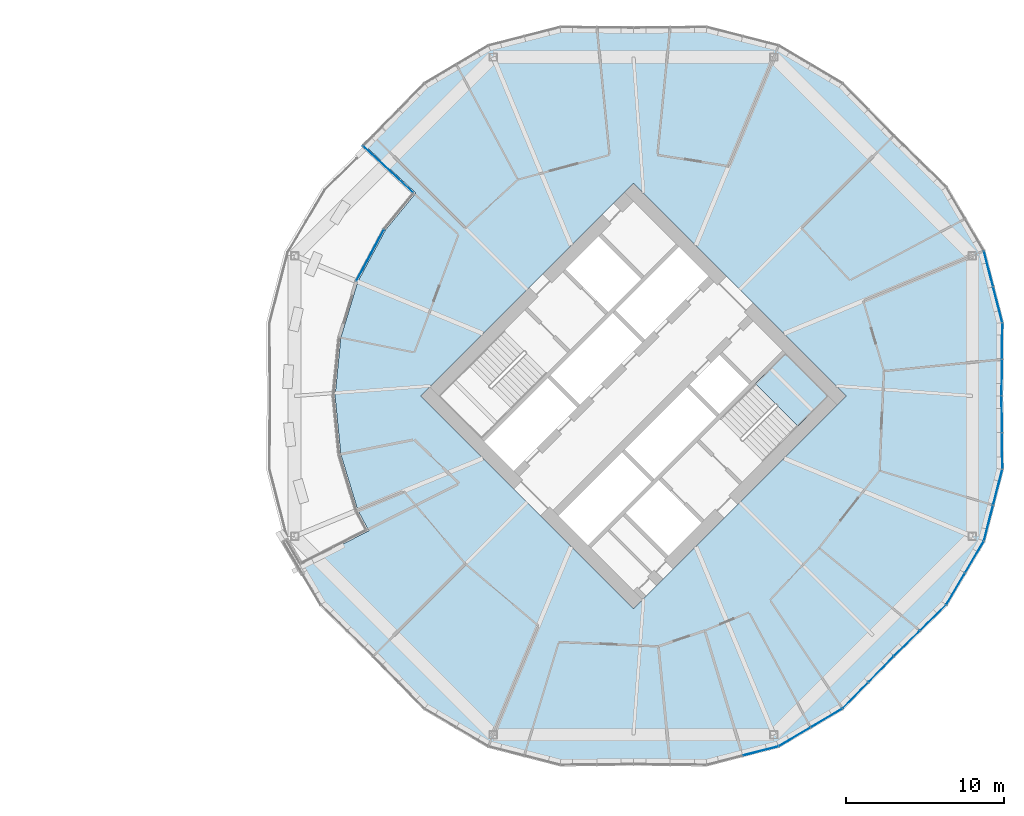
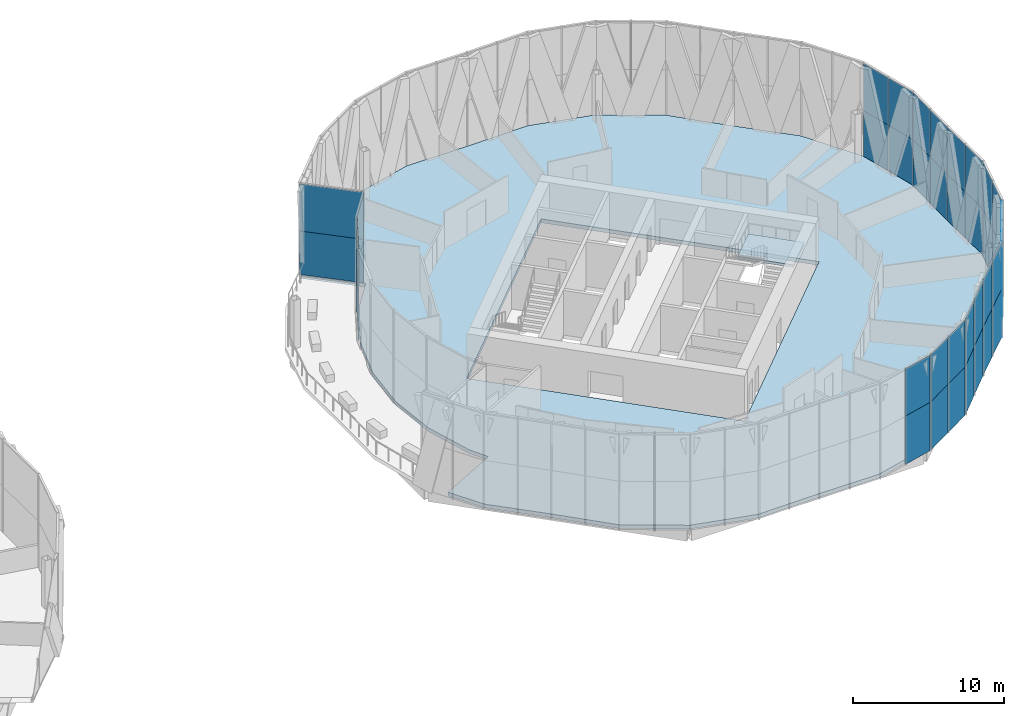
# One storey, part 20 of 31: 38 plates, 2 slabs, 5 elements without a shape of their own.
"""IFC4 building model written with IfcOpenShell, lengths in metres."""

from ifc_helpers import new_model, si_unit, direction, frame, origin, origin_2d, place, context, subcontext, project, spatial, polyline, rectangle, outline, extrude, material, layer, layer_set, type_object, element, aggregate, save


model = new_model("IFC4")

# Units and contexts
model_context = context("Model", 3, precision=1e-05, world=origin(), true_north=direction((0.0, 1.0)))
body_context = subcontext(model_context, "Body", "Model", "MODEL_VIEW")
ifc_project = project(units=[si_unit("LENGTHUNIT", "METRE"), si_unit("AREAUNIT", "SQUARE_METRE"), si_unit("VOLUMEUNIT", "CUBIC_METRE"), si_unit("PLANEANGLEUNIT", "RADIAN"), si_unit("MASSUNIT", "GRAM", prefix="KILO")], contexts=[model_context])

# Site, building, storey
site_placement = place(None, origin())
site = spatial("IfcSite", under=ifc_project, at=site_placement, CompositionType="ELEMENT")
building_placement = place(site_placement, origin())
building = spatial("IfcBuilding", under=site, at=building_placement, Name="Ogive Gate Towers", CompositionType="ELEMENT")
storey_placement = place(building_placement, frame((0.0, 0.0, 107.39990234375)))
storey = spatial("IfcBuildingStorey", under=building, at=storey_placement, Name="L25", CompositionType="ELEMENT", Elevation=107.39990234375)

# Slab
ifc_material_1 = material(Name="Concrete C35/45", Category="concrete")
ifc_layer_1 = layer(ifc_material_1, 0.300048828125)
ifc_layer_set_1 = layer_set([ifc_layer_1], Name="Floor slab 300")
slab_type_1 = type_object("IfcSlabType", Name="Floor slab 300", PredefinedType="FLOOR", material=ifc_layer_set_1)
slab_1_placement = place(storey_placement, frame((0.0, 0.0, -0.2998046875)))
element("IfcSlab", 1, at=slab_1_placement, inside=storey, type_object=slab_type_1, Name="T2/L25/SSL001", PredefinedType="FLOOR", context=body_context, shape_type="SweptSolid", body=[
    extrude(outline(polyline([(22.8662109375, 19.656005859375), (19.637451171875, 16.362548828125), (19.060302734375, 15.796630859375), (22.26025390625, 12.8125), (20.335205078125, 10.467041015625), (18.593994140625, 7.209716796875), (17.52197265625, 3.675537109375), (17.159912109375, 0.0), (17.52197265625, -3.675537109375), (18.593994140625, -7.209716796875), (19.291015625, -8.513671875), (14.927978515625, -10.73681640625), (13.974609375, -9.123291015625), (16.343994140625, -13.1337890625), (19.637451171875, -16.362548828125), (22.8662109375, -19.656005859375), (26.876708984375, -22.025390625), (31.38818359375, -23.185791015625), (36.0, -23.139892578125), (40.61181640625, -23.185791015625), (45.123291015625, -22.025390625), (49.1337890625, -19.656005859375), (52.362548828125, -16.362548828125), (55.656005859375, -13.1337890625), (58.025390625, -9.123291015625), (59.185791015625, -4.61181640625), (59.139892578125, 0.0), (59.185791015625, 4.61181640625), (58.025390625, 9.123291015625), (55.656005859375, 13.1337890625), (52.362548828125, 16.362548828125), (49.1337890625, 19.656005859375), (45.123291015625, 22.025390625), (40.61181640625, 23.185791015625), (36.0, 23.139892578125), (31.38818359375, 23.185791015625), (26.876708984375, 22.025390625), (22.8662109375, 19.656005859375)]), holes=[polyline([(49.43505859375, 0.0), (36.0, -13.43505859375), (22.56494140625, 0.0), (36.0, 13.43505859375), (49.43505859375, 0.0)])]), origin(), (0.0, 0.0, 1.0), 0.2998046875),
])

# Curtain wall, plates
ifc_material_2 = material(Name="Pale metal aluminium", Category="aluminium")
curtain_wall_type_1 = type_object("IfcCurtainWallType", Name="Sky garden glazing", PredefinedType="NOTDEFINED", material=ifc_material_2)
curtain_wall_1_placement = place(storey_placement, origin())
curtain_wall_1 = element("IfcCurtainWall", 2, at=curtain_wall_1_placement, inside=storey, type_object=curtain_wall_type_1, Name="CW4 T2 ECW01b", PredefinedType="NOTDEFINED")
ifc_material_3 = material(Name="Clear glass", Category="glass")
ifc_layer_2 = layer(ifc_material_3, 0.028076171875)
ifc_layer_set_2 = layer_set([ifc_layer_2], Name="Sky garden glazing glass panel")
plate_type_1 = type_object("IfcPlateType", Name="Sky garden glazing glass panel", PredefinedType="CURTAIN_PANEL", material=ifc_layer_set_2)
plate_1_placement = place(storey_placement, frame((19.375732421875, 8.884033203125, 0.09619140625), z_axis=(0.0, 0.0, 1.0), x_axis=(0.471396736826, 0.881921264348, 0.0)))
plate_1 = element("IfcPlate", 3, at=plate_1_placement, type_object=plate_type_1, Name="CW4 glass panel", PredefinedType="CURTAIN_PANEL", context=body_context, shape_type="SweptSolid", body=[
    extrude(rectangle(XDim=3.66552734375, YDim=0.028076171875, at=origin_2d()), origin(), (0.0, 0.0, 1.0), 3.50390625),
])
plate_2_placement = place(storey_placement, frame((19.375732421875, 8.884033203125, 3.60009765625), z_axis=(0.0, 0.0, 1.0), x_axis=(0.471396736826, 0.881921264348, 0.0)))
plate_2 = element("IfcPlate", 4, at=plate_2_placement, type_object=plate_type_1, Name="CW4 glass panel", PredefinedType="CURTAIN_PANEL", context=body_context, shape_type="SweptSolid", body=[
    extrude(rectangle(XDim=3.66552734375, YDim=0.028076171875, at=origin_2d()), origin(), (0.0, 0.0, 1.0), 3.803955078125),
])
plate_3_placement = place(storey_placement, frame((20.513916015625, 14.30419921875, 0.09619140625), z_axis=(0.0, 0.0, 1.0), x_axis=(-0.731353701619, 0.681998360062, 0.0)))
plate_3 = element("IfcPlate", 5, at=plate_3_placement, type_object=plate_type_1, Name="CW4 glass panel", PredefinedType="CURTAIN_PANEL", context=body_context, shape_type="SweptSolid", body=[
    extrude(rectangle(XDim=4.326904296875, YDim=0.028076171875, at=origin_2d()), origin(), (0.0, 0.0, 1.0), 3.50390625),
])
plate_4_placement = place(storey_placement, frame((20.513916015625, 14.30419921875, 3.60009765625), z_axis=(0.0, 0.0, 1.0), x_axis=(-0.731353701619, 0.681998360062, 0.0)))
plate_4 = element("IfcPlate", 6, at=plate_4_placement, type_object=plate_type_1, Name="CW4 glass panel", PredefinedType="CURTAIN_PANEL", context=body_context, shape_type="SweptSolid", body=[
    extrude(rectangle(XDim=4.326904296875, YDim=0.028076171875, at=origin_2d()), origin(), (0.0, 0.0, 1.0), 3.803955078125),
])
aggregate(curtain_wall_1, [plate_1, plate_2, plate_3, plate_4])

# Stair, slab
ifc_material_4 = material(Name="Concrete C40/50", Category="concrete")
stair_type = type_object("IfcStairType", Name="Escape stair 1840 wide", PredefinedType="HALF_TURN_STAIR", material=ifc_material_4)
stair_placement = place(storey_placement, origin())
stair = element("IfcStair", 7, at=stair_placement, inside=storey, type_object=stair_type, Name="L25 Escape stair 2", PredefinedType="HALF_TURN_STAIR")
ifc_layer_3 = layer(ifc_material_4, 0.199951171875)
ifc_layer_set_3 = layer_set([ifc_layer_3], Name="Stair landing 200 mm")
slab_type_2 = type_object("IfcSlabType", Name="Stair landing 200 mm", PredefinedType="LANDING", material=ifc_layer_set_3)
slab_2_placement = place(storey_placement, frame((0.0, 0.0, 1.75)))
slab_2 = element("IfcSlab", 8, at=slab_2_placement, type_object=slab_type_2, Name="ST2 landing 1", PredefinedType="LANDING", context=body_context, shape_type="SweptSolid", body=[
    extrude(outline(polyline([(46.3955078125, -1.908203125), (48.3037109375, 0.0), (45.598876953125, 2.70458984375), (43.690673828125, 0.79638671875), (46.3955078125, -1.908203125)])), origin(), (0.0, 0.0, 1.0), 0.2001953125),
])
aggregate(stair, [slab_2])

# Curtain wall, plates
curtain_wall_type_2 = type_object("IfcCurtainWallType", Name="Tower unitised wall, low zone", PredefinedType="NOTDEFINED", material=ifc_material_2)
curtain_wall_2_placement = place(storey_placement, origin())
curtain_wall_2 = element("IfcCurtainWall", 9, at=curtain_wall_2_placement, inside=storey, type_object=curtain_wall_type_2, Name="CW1 T2 ECW03", PredefinedType="NOTDEFINED")
ifc_layer_4 = layer(ifc_material_3, 0.028076171875)
ifc_layer_set_4 = layer_set([ifc_layer_4], Name="Tower unitised wall, low zone glass panel")
plate_type_2 = type_object("IfcPlateType", Name="Tower unitised wall, low zone glass panel", PredefinedType="CURTAIN_PANEL", material=ifc_layer_set_4)
plate_5_placement = place(storey_placement, frame((58.410888671875, 8.025390625, -0.2998046875), z_axis=(0.0, 0.0, 1.0), x_axis=(0.249112487609, -0.968474557496, 0.0)))
plate_5 = element("IfcPlate", 10, at=plate_5_placement, type_object=plate_type_2, Name="CW1 glass panel", PredefinedType="CURTAIN_PANEL", context=body_context, shape_type="SweptSolid", body=[
    extrude(rectangle(XDim=2.28466796875, YDim=0.028076171875, at=origin_2d()), origin(), (0.0, 0.0, 1.0), 3.89990234375),
])
plate_6_placement = place(storey_placement, frame((58.410888671875, 8.025390625, 3.60009765625), z_axis=(0.0, 0.0, 1.0), x_axis=(0.249112487609, -0.968474557496, 0.0)))
plate_6 = element("IfcPlate", 11, at=plate_6_placement, type_object=plate_type_2, Name="CW1 glass panel", PredefinedType="CURTAIN_PANEL", context=body_context, shape_type="SweptSolid", body=[
    extrude(rectangle(XDim=2.28466796875, YDim=0.028076171875, at=origin_2d()), origin(), (0.0, 0.0, 1.0), 3.803955078125),
])
plate_7_placement = place(storey_placement, frame((58.99365234375, 5.760498046875, -0.2998046875), z_axis=(0.0, 0.0, 1.0), x_axis=(0.249146293597, -0.96846586124, 0.0)))
plate_7 = element("IfcPlate", 12, at=plate_7_placement, type_object=plate_type_2, Name="CW1 glass panel", PredefinedType="CURTAIN_PANEL", context=body_context, shape_type="SweptSolid", body=[
    extrude(rectangle(XDim=2.284912109375, YDim=0.028076171875, at=origin_2d()), origin(), (0.0, 0.0, 1.0), 3.89990234375),
])
plate_8_placement = place(storey_placement, frame((58.99365234375, 5.760498046875, 3.60009765625), z_axis=(0.0, 0.0, 1.0), x_axis=(0.249146293597, -0.96846586124, 0.0)))
plate_8 = element("IfcPlate", 13, at=plate_8_placement, type_object=plate_type_2, Name="CW1 glass panel", PredefinedType="CURTAIN_PANEL", context=body_context, shape_type="SweptSolid", body=[
    extrude(rectangle(XDim=2.284912109375, YDim=0.028076171875, at=origin_2d()), origin(), (0.0, 0.0, 1.0), 3.803955078125),
])
plate_9_placement = place(storey_placement, frame((59.2744140625, 3.46630859375, -0.2998046875), z_axis=(0.0, 0.0, 1.0), x_axis=(-0.009948212638, -0.999950515308, 0.0)))
plate_9 = element("IfcPlate", 14, at=plate_9_placement, type_object=plate_type_2, Name="CW1 glass panel", PredefinedType="CURTAIN_PANEL", context=body_context, shape_type="SweptSolid", body=[
    extrude(rectangle(XDim=2.25439453125, YDim=0.028076171875, at=origin_2d()), origin(), (0.0, 0.0, 1.0), 3.89990234375),
])
plate_10_placement = place(storey_placement, frame((59.2744140625, 3.46630859375, 3.60009765625), z_axis=(0.0, 0.0, 1.0), x_axis=(-0.009948212638, -0.999950515308, 0.0)))
plate_10 = element("IfcPlate", 15, at=plate_10_placement, type_object=plate_type_2, Name="CW1 glass panel", PredefinedType="CURTAIN_PANEL", context=body_context, shape_type="SweptSolid", body=[
    extrude(rectangle(XDim=2.25439453125, YDim=0.028076171875, at=origin_2d()), origin(), (0.0, 0.0, 1.0), 3.803955078125),
])
plate_11_placement = place(storey_placement, frame((59.25146484375, 1.156005859375, -0.2998046875), z_axis=(0.0, 0.0, 1.0), x_axis=(-0.009895855338, -0.999951034825, 0.0)))
plate_11 = element("IfcPlate", 16, at=plate_11_placement, type_object=plate_type_2, Name="CW1 glass panel", PredefinedType="CURTAIN_PANEL", context=body_context, shape_type="SweptSolid", body=[
    extrude(rectangle(XDim=2.25830078125, YDim=0.028076171875, at=origin_2d()), origin(), (0.0, 0.0, 1.0), 3.89990234375),
])
plate_12_placement = place(storey_placement, frame((59.25146484375, 1.156005859375, 3.60009765625), z_axis=(0.0, 0.0, 1.0), x_axis=(-0.009895855338, -0.999951034825, 0.0)))
plate_12 = element("IfcPlate", 17, at=plate_12_placement, type_object=plate_type_2, Name="CW1 glass panel", PredefinedType="CURTAIN_PANEL", context=body_context, shape_type="SweptSolid", body=[
    extrude(rectangle(XDim=2.25830078125, YDim=0.028076171875, at=origin_2d()), origin(), (0.0, 0.0, 1.0), 3.803955078125),
])
aggregate(curtain_wall_2, [plate_5, plate_6, plate_7, plate_8, plate_9, plate_10, plate_11, plate_12])

curtain_wall_3_placement = place(storey_placement, origin())
curtain_wall_3 = element("IfcCurtainWall", 18, at=curtain_wall_3_placement, inside=storey, type_object=curtain_wall_type_2, Name="CW1 T2 ECW09", PredefinedType="NOTDEFINED")
plate_13_placement = place(storey_placement, frame((51.623779296875, -17.2587890625, -0.2998046875), z_axis=(0.0, 0.0, 1.0), x_axis=(-0.700062268192, -0.714081802495, 0.0)))
plate_13 = element("IfcPlate", 19, at=plate_13_placement, type_object=plate_type_2, Name="CW1 glass panel", PredefinedType="CURTAIN_PANEL", context=body_context, shape_type="SweptSolid", body=[
    extrude(rectangle(XDim=2.25830078125, YDim=0.028076171875, at=origin_2d()), origin(), (0.0, 0.0, 1.0), 3.89990234375),
])
plate_14_placement = place(storey_placement, frame((51.623779296875, -17.2587890625, 3.60009765625), z_axis=(0.0, 0.0, 1.0), x_axis=(-0.700062268192, -0.714081802495, 0.0)))
plate_14 = element("IfcPlate", 20, at=plate_14_placement, type_object=plate_type_2, Name="CW1 glass panel", PredefinedType="CURTAIN_PANEL", context=body_context, shape_type="SweptSolid", body=[
    extrude(rectangle(XDim=2.25830078125, YDim=0.028076171875, at=origin_2d()), origin(), (0.0, 0.0, 1.0), 3.803955078125),
])
plate_15_placement = place(storey_placement, frame((50.006591796875, -18.908447265625, -0.2998046875), z_axis=(0.0, 0.0, 1.0), x_axis=(-0.700062268192, -0.714081802495, 0.0)))
plate_15 = element("IfcPlate", 21, at=plate_15_placement, type_object=plate_type_2, Name="CW1 glass panel", PredefinedType="CURTAIN_PANEL", context=body_context, shape_type="SweptSolid", body=[
    extrude(rectangle(XDim=2.254150390625, YDim=0.028076171875, at=origin_2d()), origin(), (0.0, 0.0, 1.0), 3.89990234375),
])
plate_16_placement = place(storey_placement, frame((50.006591796875, -18.908447265625, 3.60009765625), z_axis=(0.0, 0.0, 1.0), x_axis=(-0.700062268192, -0.714081802495, 0.0)))
plate_16 = element("IfcPlate", 22, at=plate_16_placement, type_object=plate_type_2, Name="CW1 glass panel", PredefinedType="CURTAIN_PANEL", context=body_context, shape_type="SweptSolid", body=[
    extrude(rectangle(XDim=2.254150390625, YDim=0.028076171875, at=origin_2d()), origin(), (0.0, 0.0, 1.0), 3.803955078125),
])
plate_17_placement = place(storey_placement, frame((48.185791015625, -20.33203125, -0.2998046875), z_axis=(0.0, 0.0, 1.0), x_axis=(-0.860955178255, -0.508680824326, 0.0)))
plate_17 = element("IfcPlate", 23, at=plate_17_placement, type_object=plate_type_2, Name="CW1 glass panel", PredefinedType="CURTAIN_PANEL", context=body_context, shape_type="SweptSolid", body=[
    extrude(rectangle(XDim=2.284912109375, YDim=0.028076171875, at=origin_2d()), origin(), (0.0, 0.0, 1.0), 3.89990234375),
])
plate_18_placement = place(storey_placement, frame((48.185791015625, -20.33203125, 3.60009765625), z_axis=(0.0, 0.0, 1.0), x_axis=(-0.860955178255, -0.508680824326, 0.0)))
plate_18 = element("IfcPlate", 24, at=plate_18_placement, type_object=plate_type_2, Name="CW1 glass panel", PredefinedType="CURTAIN_PANEL", context=body_context, shape_type="SweptSolid", body=[
    extrude(rectangle(XDim=2.284912109375, YDim=0.028076171875, at=origin_2d()), origin(), (0.0, 0.0, 1.0), 3.803955078125),
])
plate_19_placement = place(storey_placement, frame((46.172119140625, -21.521728515625, -0.2998046875), z_axis=(0.0, 0.0, 1.0), x_axis=(-0.860990688777, -0.508620717076, 0.0)))
plate_19 = element("IfcPlate", 25, at=plate_19_placement, type_object=plate_type_2, Name="CW1 glass panel", PredefinedType="CURTAIN_PANEL", context=body_context, shape_type="SweptSolid", body=[
    extrude(rectangle(XDim=2.284912109375, YDim=0.028076171875, at=origin_2d()), origin(), (0.0, 0.0, 1.0), 3.89990234375),
])
plate_20_placement = place(storey_placement, frame((46.172119140625, -21.521728515625, 3.60009765625), z_axis=(0.0, 0.0, 1.0), x_axis=(-0.860990688777, -0.508620717076, 0.0)))
plate_20 = element("IfcPlate", 26, at=plate_20_placement, type_object=plate_type_2, Name="CW1 glass panel", PredefinedType="CURTAIN_PANEL", context=body_context, shape_type="SweptSolid", body=[
    extrude(rectangle(XDim=2.284912109375, YDim=0.028076171875, at=origin_2d()), origin(), (0.0, 0.0, 1.0), 3.803955078125),
])
plate_21_placement = place(storey_placement, frame((44.025390625, -22.410888671875, -0.2998046875), z_axis=(0.0, 0.0, 1.0), x_axis=(-0.968474557496, -0.249112487609, 0.0)))
plate_21 = element("IfcPlate", 27, at=plate_21_placement, type_object=plate_type_2, Name="CW1 glass panel", PredefinedType="CURTAIN_PANEL", context=body_context, shape_type="SweptSolid", body=[
    extrude(rectangle(XDim=2.28466796875, YDim=0.028076171875, at=origin_2d()), origin(), (0.0, 0.0, 1.0), 3.89990234375),
])
plate_22_placement = place(storey_placement, frame((44.025390625, -22.410888671875, 3.60009765625), z_axis=(0.0, 0.0, 1.0), x_axis=(-0.968474557496, -0.249112487609, 0.0)))
plate_22 = element("IfcPlate", 28, at=plate_22_placement, type_object=plate_type_2, Name="CW1 glass panel", PredefinedType="CURTAIN_PANEL", context=body_context, shape_type="SweptSolid", body=[
    extrude(rectangle(XDim=2.28466796875, YDim=0.028076171875, at=origin_2d()), origin(), (0.0, 0.0, 1.0), 3.803955078125),
])
aggregate(curtain_wall_3, [plate_13, plate_14, plate_15, plate_16, plate_17, plate_18, plate_19, plate_20, plate_21, plate_22])

curtain_wall_4_placement = place(storey_placement, origin())
curtain_wall_4 = element("IfcCurtainWall", 29, at=curtain_wall_4_placement, inside=storey, type_object=curtain_wall_type_2, Name="CW1 T2 ECW10", PredefinedType="NOTDEFINED")
plate_23_placement = place(storey_placement, frame((59.25146484375, -1.156005859375, -0.2998046875), z_axis=(0.0, 0.0, 1.0), x_axis=(0.009895855338, -0.999951034825, 0.0)))
plate_23 = element("IfcPlate", 30, at=plate_23_placement, type_object=plate_type_2, Name="CW1 glass panel", PredefinedType="CURTAIN_PANEL", context=body_context, shape_type="SweptSolid", body=[
    extrude(rectangle(XDim=2.25830078125, YDim=0.028076171875, at=origin_2d()), origin(), (0.0, 0.0, 1.0), 3.89990234375),
])
plate_24_placement = place(storey_placement, frame((59.25146484375, -1.156005859375, 3.60009765625), z_axis=(0.0, 0.0, 1.0), x_axis=(0.009895855338, -0.999951034825, 0.0)))
plate_24 = element("IfcPlate", 31, at=plate_24_placement, type_object=plate_type_2, Name="CW1 glass panel", PredefinedType="CURTAIN_PANEL", context=body_context, shape_type="SweptSolid", body=[
    extrude(rectangle(XDim=2.25830078125, YDim=0.028076171875, at=origin_2d()), origin(), (0.0, 0.0, 1.0), 3.803955078125),
])
plate_25_placement = place(storey_placement, frame((59.2744140625, -3.46630859375, -0.2998046875), z_axis=(0.0, 0.0, 1.0), x_axis=(0.009948212638, -0.999950515308, 0.0)))
plate_25 = element("IfcPlate", 32, at=plate_25_placement, type_object=plate_type_2, Name="CW1 glass panel", PredefinedType="CURTAIN_PANEL", context=body_context, shape_type="SweptSolid", body=[
    extrude(rectangle(XDim=2.25439453125, YDim=0.028076171875, at=origin_2d()), origin(), (0.0, 0.0, 1.0), 3.89990234375),
])
plate_26_placement = place(storey_placement, frame((59.2744140625, -3.46630859375, 3.60009765625), z_axis=(0.0, 0.0, 1.0), x_axis=(0.009948212638, -0.999950515308, 0.0)))
plate_26 = element("IfcPlate", 33, at=plate_26_placement, type_object=plate_type_2, Name="CW1 glass panel", PredefinedType="CURTAIN_PANEL", context=body_context, shape_type="SweptSolid", body=[
    extrude(rectangle(XDim=2.25439453125, YDim=0.028076171875, at=origin_2d()), origin(), (0.0, 0.0, 1.0), 3.803955078125),
])
plate_27_placement = place(storey_placement, frame((58.99365234375, -5.760498046875, -0.2998046875), z_axis=(0.0, 0.0, 1.0), x_axis=(-0.249146293597, -0.96846586124, 0.0)))
plate_27 = element("IfcPlate", 34, at=plate_27_placement, type_object=plate_type_2, Name="CW1 glass panel", PredefinedType="CURTAIN_PANEL", context=body_context, shape_type="SweptSolid", body=[
    extrude(rectangle(XDim=2.284912109375, YDim=0.028076171875, at=origin_2d()), origin(), (0.0, 0.0, 1.0), 3.89990234375),
])
plate_28_placement = place(storey_placement, frame((58.99365234375, -5.760498046875, 3.60009765625), z_axis=(0.0, 0.0, 1.0), x_axis=(-0.249146293597, -0.96846586124, 0.0)))
plate_28 = element("IfcPlate", 35, at=plate_28_placement, type_object=plate_type_2, Name="CW1 glass panel", PredefinedType="CURTAIN_PANEL", context=body_context, shape_type="SweptSolid", body=[
    extrude(rectangle(XDim=2.284912109375, YDim=0.028076171875, at=origin_2d()), origin(), (0.0, 0.0, 1.0), 3.803955078125),
])
plate_29_placement = place(storey_placement, frame((58.410888671875, -8.025390625, -0.2998046875), z_axis=(0.0, 0.0, 1.0), x_axis=(-0.249112487609, -0.968474557496, 0.0)))
plate_29 = element("IfcPlate", 36, at=plate_29_placement, type_object=plate_type_2, Name="CW1 glass panel", PredefinedType="CURTAIN_PANEL", context=body_context, shape_type="SweptSolid", body=[
    extrude(rectangle(XDim=2.28466796875, YDim=0.028076171875, at=origin_2d()), origin(), (0.0, 0.0, 1.0), 3.89990234375),
])
plate_30_placement = place(storey_placement, frame((58.410888671875, -8.025390625, 3.60009765625), z_axis=(0.0, 0.0, 1.0), x_axis=(-0.249112487609, -0.968474557496, 0.0)))
plate_30 = element("IfcPlate", 37, at=plate_30_placement, type_object=plate_type_2, Name="CW1 glass panel", PredefinedType="CURTAIN_PANEL", context=body_context, shape_type="SweptSolid", body=[
    extrude(rectangle(XDim=2.28466796875, YDim=0.028076171875, at=origin_2d()), origin(), (0.0, 0.0, 1.0), 3.803955078125),
])
plate_31_placement = place(storey_placement, frame((57.521728515625, -10.172119140625, -0.2998046875), z_axis=(0.0, 0.0, 1.0), x_axis=(-0.508620717076, -0.860990688777, 0.0)))
plate_31 = element("IfcPlate", 38, at=plate_31_placement, type_object=plate_type_2, Name="CW1 glass panel", PredefinedType="CURTAIN_PANEL", context=body_context, shape_type="SweptSolid", body=[
    extrude(rectangle(XDim=2.284912109375, YDim=0.028076171875, at=origin_2d()), origin(), (0.0, 0.0, 1.0), 3.89990234375),
])
plate_32_placement = place(storey_placement, frame((57.521728515625, -10.172119140625, 3.60009765625), z_axis=(0.0, 0.0, 1.0), x_axis=(-0.508620717076, -0.860990688777, 0.0)))
plate_32 = element("IfcPlate", 39, at=plate_32_placement, type_object=plate_type_2, Name="CW1 glass panel", PredefinedType="CURTAIN_PANEL", context=body_context, shape_type="SweptSolid", body=[
    extrude(rectangle(XDim=2.284912109375, YDim=0.028076171875, at=origin_2d()), origin(), (0.0, 0.0, 1.0), 3.803955078125),
])
plate_33_placement = place(storey_placement, frame((56.33203125, -12.185791015625, -0.2998046875), z_axis=(0.0, 0.0, 1.0), x_axis=(-0.508680824326, -0.860955178255, 0.0)))
plate_33 = element("IfcPlate", 40, at=plate_33_placement, type_object=plate_type_2, Name="CW1 glass panel", PredefinedType="CURTAIN_PANEL", context=body_context, shape_type="SweptSolid", body=[
    extrude(rectangle(XDim=2.284912109375, YDim=0.028076171875, at=origin_2d()), origin(), (0.0, 0.0, 1.0), 3.89990234375),
])
plate_34_placement = place(storey_placement, frame((56.33203125, -12.185791015625, 3.60009765625), z_axis=(0.0, 0.0, 1.0), x_axis=(-0.508680824326, -0.860955178255, 0.0)))
plate_34 = element("IfcPlate", 41, at=plate_34_placement, type_object=plate_type_2, Name="CW1 glass panel", PredefinedType="CURTAIN_PANEL", context=body_context, shape_type="SweptSolid", body=[
    extrude(rectangle(XDim=2.284912109375, YDim=0.028076171875, at=origin_2d()), origin(), (0.0, 0.0, 1.0), 3.803955078125),
])
plate_35_placement = place(storey_placement, frame((54.908447265625, -14.006591796875, -0.2998046875), z_axis=(0.0, 0.0, 1.0), x_axis=(-0.714081802495, -0.700062268192, 0.0)))
plate_35 = element("IfcPlate", 42, at=plate_35_placement, type_object=plate_type_2, Name="CW1 glass panel", PredefinedType="CURTAIN_PANEL", context=body_context, shape_type="SweptSolid", body=[
    extrude(rectangle(XDim=2.254150390625, YDim=0.028076171875, at=origin_2d()), origin(), (0.0, 0.0, 1.0), 3.89990234375),
])
plate_36_placement = place(storey_placement, frame((54.908447265625, -14.006591796875, 3.60009765625), z_axis=(0.0, 0.0, 1.0), x_axis=(-0.714081802495, -0.700062268192, 0.0)))
plate_36 = element("IfcPlate", 43, at=plate_36_placement, type_object=plate_type_2, Name="CW1 glass panel", PredefinedType="CURTAIN_PANEL", context=body_context, shape_type="SweptSolid", body=[
    extrude(rectangle(XDim=2.254150390625, YDim=0.028076171875, at=origin_2d()), origin(), (0.0, 0.0, 1.0), 3.803955078125),
])
plate_37_placement = place(storey_placement, frame((53.2587890625, -15.623779296875, -0.2998046875), z_axis=(0.0, 0.0, 1.0), x_axis=(-0.714081802495, -0.700062268192, 0.0)))
plate_37 = element("IfcPlate", 44, at=plate_37_placement, type_object=plate_type_2, Name="CW1 glass panel", PredefinedType="CURTAIN_PANEL", context=body_context, shape_type="SweptSolid", body=[
    extrude(rectangle(XDim=2.25830078125, YDim=0.028076171875, at=origin_2d()), origin(), (0.0, 0.0, 1.0), 3.89990234375),
])
plate_38_placement = place(storey_placement, frame((53.2587890625, -15.623779296875, 3.60009765625), z_axis=(0.0, 0.0, 1.0), x_axis=(-0.714081802495, -0.700062268192, 0.0)))
plate_38 = element("IfcPlate", 45, at=plate_38_placement, type_object=plate_type_2, Name="CW1 glass panel", PredefinedType="CURTAIN_PANEL", context=body_context, shape_type="SweptSolid", body=[
    extrude(rectangle(XDim=2.25830078125, YDim=0.028076171875, at=origin_2d()), origin(), (0.0, 0.0, 1.0), 3.803955078125),
])
aggregate(curtain_wall_4, [plate_23, plate_24, plate_25, plate_26, plate_27, plate_28, plate_29, plate_30, plate_31, plate_32, plate_33, plate_34, plate_35, plate_36, plate_37, plate_38])

save(model, "model.ifc")
